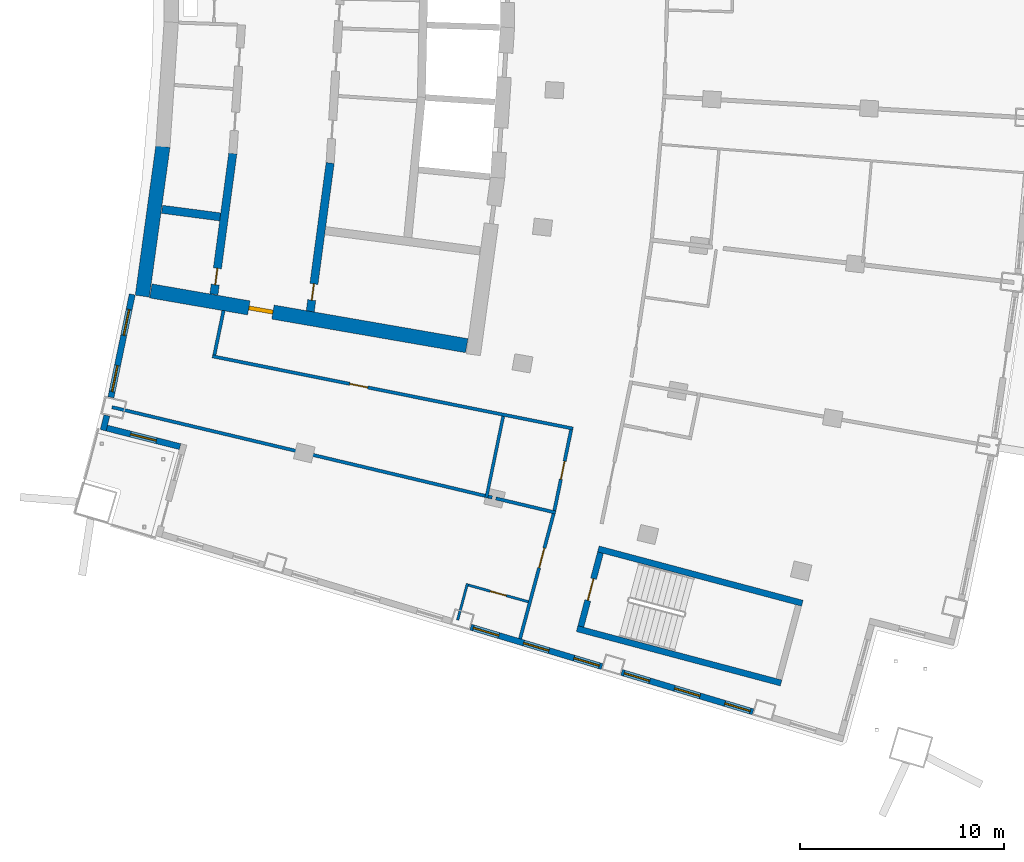
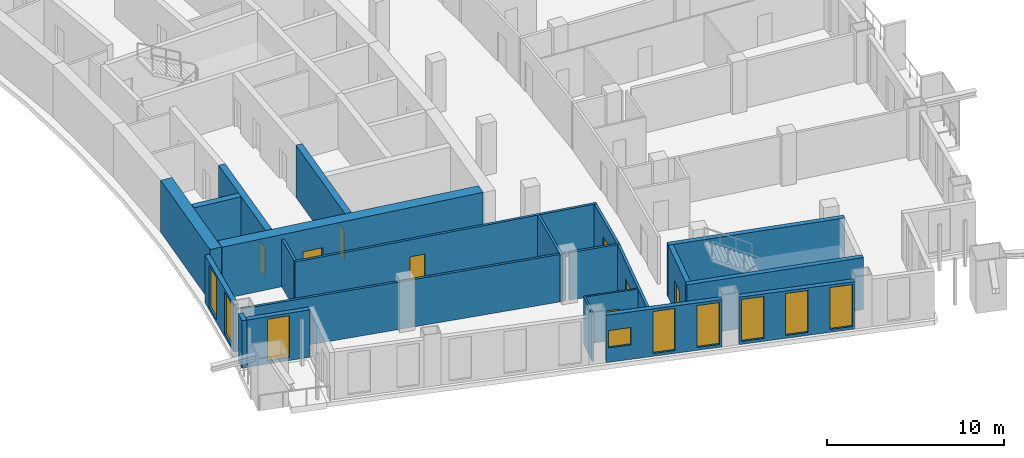
# One storey, part 11 of 20: 23 walls, 9 windows, 8 doors, 17 openings.
"""IFC4 building model written with IfcOpenShell, lengths in metres."""

from ifc_helpers import new_model, si_unit, direction, frame, frame_2d, origin, place, context, subcontext, project, spatial, rectangle, extrude, material, layer, layer_set, type_object, element, fill, save


model = new_model("IFC4")

# Units and contexts
model_context = context("Model", 3, precision=1e-05, world=origin(), true_north=direction((0.0, 1.0)))
body_context = subcontext(model_context, "Body", "Model", "MODEL_VIEW")
ifc_project = project(units=[si_unit("LENGTHUNIT", "METRE"), si_unit("AREAUNIT", "SQUARE_METRE"), si_unit("VOLUMEUNIT", "CUBIC_METRE"), si_unit("PLANEANGLEUNIT", "RADIAN"), si_unit("MASSUNIT", "GRAM", prefix="KILO")], contexts=[model_context])

# Site, building, storey
site_placement = place(None, origin())
site = spatial("IfcSite", under=ifc_project, at=site_placement, CompositionType="ELEMENT")
building_placement = place(site_placement, origin())
building = spatial("IfcBuilding", under=site, at=building_placement, Name="Alderwake Tower", CompositionType="ELEMENT")
storey_placement = place(building_placement, frame((0.0, 0.0, 178.39990234375)))
storey = spatial("IfcBuildingStorey", under=building, at=storey_placement, Name="L44", CompositionType="ELEMENT", Elevation=178.39990234375)

# Wall
ifc_material_1 = material(Name="Concrete C70/85", Category="concrete")
ifc_layer_1 = layer(ifc_material_1, 0.699951171875)
ifc_layer_set_1 = layer_set([ifc_layer_1], Name="Core wall outer 700 C70-85")
wall_type_1 = type_object("IfcWallType", Name="Core wall outer 700 C70-85", PredefinedType="SHEAR", material=ifc_layer_set_1)
wall_1_placement = place(storey_placement, frame((15.370849609375, 44.1376953125, 0.0), z_axis=(0.0, 0.0, 1.0), x_axis=(0.136315619812, 0.99066545907, 0.0)))
element("IfcWall", 1, at=wall_1_placement, inside=storey, type_object=wall_type_1, Name="Core wall CW.042", PredefinedType="SHEAR", context=body_context, shape_type="SweptSolid", body=[
    extrude(rectangle(XDim=7.420166015625, YDim=0.699951171875, at=frame_2d((3.7099609375, 0.0))), origin(), (0.0, 0.0, 1.0), 3.60009765625),
])

# Wall, opening, door
wall_2_placement = place(storey_placement, frame((31.295654296875, 41.705810546875, 0.0), z_axis=(0.0, 0.0, 1.0), x_axis=(-0.985302589944, 0.170818050129, 0.0)))
wall_2 = element("IfcWall", 2, at=wall_2_placement, inside=storey, type_object=wall_type_1, Name="Core wall CW.072", PredefinedType="SHEAR", context=body_context, shape_type="SweptSolid", body=[
    extrude(rectangle(XDim=15.7373046875, YDim=0.699951171875, at=frame_2d((7.86865234375, 0.0))), origin(), (0.0, 0.0, 1.0), 3.60009765625),
])
opening_1_placement = place(wall_2_placement, frame((9.65576171875, 0.0, 0.0)))
opening_1 = element("IfcOpeningElement", 3, at=opening_1_placement, cuts=wall_2, Name="Opening C003", PredefinedType="OPENING", context=body_context, shape_type="SweptSolid", body=[
    extrude(rectangle(XDim=1.199951171875, YDim=2.10009765625, at=frame_2d((0.60009765625, 1.050048828125))), frame((0.0, 0.35986328125, 0.0), z_axis=(0.0, -1.0, 0.0), x_axis=(1.0, 0.0, 0.0)), (0.0, 0.0, 1.0), 0.719970703125),
])
ifc_material_2 = material(Name="Steel-framed fire door leaf", Category="steel")
door_type_1 = type_object("IfcDoorType", Name="Core lobby exit door 1200 fire-rated", OperationType="SINGLE_SWING_LEFT", PredefinedType="DOOR", material=ifc_material_2)
door_1_placement = place(opening_1_placement, origin())
door_1 = element("IfcDoor", 4, at=door_1_placement, inside=storey, type_object=door_type_1, Name="Lobby door", OperationType="SINGLE_SWING_LEFT", OverallHeight=2.10009765625, OverallWidth=1.199951171875, PredefinedType="DOOR", context=body_context, shape_type="SweptSolid", body=[
    extrude(rectangle(XDim=1.199951171875, YDim=2.10009765625, at=frame_2d((0.60009765625, 1.050048828125))), frame((0.0, 0.10009765625, 0.0), z_axis=(0.0, -1.0, 0.0), x_axis=(1.0, 0.0, 0.0)), (0.0, 0.0, 1.0), 0.199951171875),
])
fill(opening_1, door_1)

ifc_material_3 = material(Name="Concrete C70/85", Category="concrete")
ifc_layer_2 = layer(ifc_material_3, 0.39990234375)
ifc_layer_set_2 = layer_set([ifc_layer_2], Name="Core wall spine 400 C70-85")
wall_type_2 = type_object("IfcWallType", Name="Core wall spine 400 C70-85", PredefinedType="SHEAR", material=ifc_layer_set_2)
wall_3_placement = place(storey_placement, frame((19.814697265625, 51.143798828125, 0.0), z_axis=(0.0, 0.0, 1.0), x_axis=(-0.132864871698, -0.991134161387, 0.0)))
wall_3 = element("IfcWall", 5, at=wall_3_placement, inside=storey, type_object=wall_type_2, Name="Core wall CW.033", PredefinedType="SHEAR", context=body_context, shape_type="SweptSolid", body=[
    extrude(rectangle(XDim=6.978759765625, YDim=0.39990234375, at=frame_2d((3.4892578125, 0.0))), origin(), (0.0, 0.0, 1.0), 3.60009765625),
])
opening_2_placement = place(wall_3_placement, frame((5.69677734375, 0.0, 0.0)))
opening_2 = element("IfcOpeningElement", 6, at=opening_2_placement, cuts=wall_3, Name="Opening C007", PredefinedType="OPENING", context=body_context, shape_type="SweptSolid", body=[
    extrude(rectangle(XDim=0.800048828125, YDim=2.0, at=frame_2d((0.39990234375, 1.0))), frame((0.0, 0.2099609375, 0.0), z_axis=(0.0, -1.0, 0.0), x_axis=(1.0, 0.0, 0.0)), (0.0, 0.0, 1.0), 0.419921875),
])
ifc_material_4 = material(Name="Painted steel leaf, rated", Category="steel")
door_type_2 = type_object("IfcDoorType", Name="Riser access door 800", OperationType="SINGLE_SWING_LEFT", PredefinedType="DOOR", material=ifc_material_4)
door_2_placement = place(opening_2_placement, origin())
door_2 = element("IfcDoor", 7, at=door_2_placement, inside=storey, type_object=door_type_2, Name="Riser access door", OperationType="SINGLE_SWING_LEFT", OverallHeight=2.0, OverallWidth=0.800048828125, PredefinedType="DOOR", context=body_context, shape_type="SweptSolid", body=[
    extrude(rectangle(XDim=0.800048828125, YDim=2.0, at=frame_2d((0.39990234375, 1.0))), frame((0.0, 0.02490234375, 0.0), z_axis=(0.0, -1.0, 0.0), x_axis=(1.0, 0.0, 0.0)), (0.0, 0.0, 1.0), 0.050048828125),
])
fill(opening_2, door_2)

wall_4_placement = place(storey_placement, frame((23.6142578125, 43.390869140625, 0.0), z_axis=(0.0, 0.0, 1.0), x_axis=(0.133023466616, 0.991112888287, 0.0)))
wall_4 = element("IfcWall", 8, at=wall_4_placement, inside=storey, type_object=wall_type_2, Name="Core wall CW.047", PredefinedType="SHEAR", context=body_context, shape_type="SweptSolid", body=[
    extrude(rectangle(XDim=7.3466796875, YDim=0.39990234375, at=frame_2d((3.67333984375, 0.0))), origin(), (0.0, 0.0, 1.0), 3.60009765625),
])
opening_3_placement = place(wall_4_placement, frame((0.557861328125, 0.0, 0.0)))
opening_3 = element("IfcOpeningElement", 9, at=opening_3_placement, cuts=wall_4, Name="Opening C014", PredefinedType="OPENING", context=body_context, shape_type="SweptSolid", body=[
    extrude(rectangle(XDim=0.800048828125, YDim=2.0, at=frame_2d((0.39990234375, 1.0))), frame((0.0, 0.2099609375, 0.0), z_axis=(0.0, -1.0, 0.0), x_axis=(1.0, 0.0, 0.0)), (0.0, 0.0, 1.0), 0.419921875),
])
door_3_placement = place(opening_3_placement, origin())
door_3 = element("IfcDoor", 10, at=door_3_placement, inside=storey, type_object=door_type_2, Name="Riser access door", OperationType="SINGLE_SWING_RIGHT", OverallHeight=2.0, OverallWidth=0.800048828125, PredefinedType="DOOR", context=body_context, shape_type="SweptSolid", body=[
    extrude(rectangle(XDim=0.800048828125, YDim=2.0, at=frame_2d((0.39990234375, 1.0))), frame((0.0, 0.02490234375, 0.0), z_axis=(0.0, -1.0, 0.0), x_axis=(1.0, 0.0, 0.0)), (0.0, 0.0, 1.0), 0.050048828125),
])
fill(opening_3, door_3)

# Walls
wall_5_placement = place(storey_placement, frame((16.3408203125, 48.3994140625, 0.0), z_axis=(0.0, 0.0, 1.0), x_axis=(0.991544987266, -0.129763393253, 0.0)))
element("IfcWall", 11, at=wall_5_placement, inside=storey, type_object=wall_type_2, Name="Core wall CW.067", PredefinedType="SHEAR", context=body_context, shape_type="SweptSolid", body=[
    extrude(rectangle(XDim=2.878662109375, YDim=0.39990234375, at=frame_2d((1.439453125, 0.0))), origin(), (0.0, 0.0, 1.0), 3.60009765625),
])
ifc_material_5 = material(Name="Concrete C70/85", Category="concrete")
ifc_layer_3 = layer(ifc_material_5, 0.300048828125)
ifc_layer_set_3 = layer_set([ifc_layer_3], Name="Core wall stair enclosure 300 C70-85")
wall_type_3 = type_object("IfcWallType", Name="Core wall stair enclosure 300 C70-85", PredefinedType="SHEAR", material=ifc_layer_set_3)
for number, where, z_axis, x_axis, name in (
    (12, (37.75390625, 31.731201171875, 0.0), (0.0, 0.0, 1.0), (0.966309214305, -0.257383958996, 0.0), "Core wall CW.086"),
    (13, (36.71142578125, 27.817626953125, 0.0), (0.0, 0.0, 1.0), (0.966309214305, -0.257383958996, 0.0), "Core wall CW.088"),
):
    element("IfcWall", number, at=place(storey_placement, frame(where, z_axis=z_axis, x_axis=x_axis)), inside=storey, type_object=wall_type_3, Name=name, PredefinedType="SHEAR", context=body_context, shape_type="SweptSolid", body=[
        extrude(rectangle(XDim=10.360107421875, YDim=0.300048828125, at=frame_2d((5.18017578125, 0.0))), origin(), (0.0, 0.0, 1.0), 3.60009765625),
    ])

# Wall, opening, door
wall_6_placement = place(storey_placement, frame((36.89501953125, 27.923828125, 0.0), z_axis=(0.0, 0.0, 1.0), x_axis=(0.257350630826, 0.966318090907, 0.0)))
wall_6 = element("IfcWall", 14, at=wall_6_placement, inside=storey, type_object=wall_type_3, Name="Core wall CW.087", PredefinedType="SHEAR", context=body_context, shape_type="SweptSolid", body=[
    extrude(rectangle(XDim=3.75, YDim=0.300048828125, at=frame_2d((1.875, 0.0))), origin(), (0.0, 0.0, 1.0), 3.60009765625),
])
opening_4_placement = place(wall_6_placement, frame((1.324951171875, 0.0, 0.0)))
opening_4 = element("IfcOpeningElement", 15, at=opening_4_placement, cuts=wall_6, Name="Opening C065", PredefinedType="OPENING", context=body_context, shape_type="SweptSolid", body=[
    extrude(rectangle(XDim=1.10009765625, YDim=2.10009765625, at=frame_2d((0.550048828125, 1.050048828125))), frame((0.0, 0.159912109375, 0.0), z_axis=(0.0, -1.0, 0.0), x_axis=(1.0, 0.0, 0.0)), (0.0, 0.0, 1.0), 0.320068359375),
])
ifc_material_6 = material(Name="Steel-framed fire door leaf", Category="steel")
door_type_3 = type_object("IfcDoorType", Name="Core stair door 1100 fire-rated", OperationType="SINGLE_SWING_LEFT", PredefinedType="DOOR", material=ifc_material_6)
door_4_placement = place(opening_4_placement, origin())
door_4 = element("IfcDoor", 16, at=door_4_placement, inside=storey, type_object=door_type_3, Name="Stair door", OperationType="SINGLE_SWING_LEFT", OverallHeight=2.10009765625, OverallWidth=1.10009765625, PredefinedType="DOOR", context=body_context, shape_type="SweptSolid", body=[
    extrude(rectangle(XDim=1.10009765625, YDim=2.10009765625, at=frame_2d((0.550048828125, 1.050048828125))), frame((0.0, 0.02490234375, 0.0), z_axis=(0.0, -1.0, 0.0), x_axis=(1.0, 0.0, 0.0)), (0.0, 0.0, 1.0), 0.050048828125),
])
fill(opening_4, door_4)

# Wall
ifc_material_7 = material(Name="Gypsum board on metal studs, rated")
ifc_layer_4 = layer(ifc_material_7, 0.159912109375)
ifc_layer_set_4 = layer_set([ifc_layer_4], Name="Corridor wall 160")
wall_type_4 = type_object("IfcWallType", Name="Corridor wall 160", PredefinedType="PARTITIONING", material=ifc_layer_set_4)
wall_7_placement = place(storey_placement, frame((13.884033203125, 38.68798828125, 0.0), z_axis=(0.0, 0.0, 1.0), x_axis=(0.972897690171, -0.231235993004, 0.0)))
element("IfcWall", 17, at=wall_7_placement, inside=storey, type_object=wall_type_4, Name="WL/L44/W13", PredefinedType="PARTITIONING", context=body_context, shape_type="SweptSolid", body=[
    extrude(rectangle(XDim=18.8271484375, YDim=0.159912109375, at=frame_2d((9.41357421875, 0.0))), origin(), (0.0, 0.0, 1.0), 3.280029296875),
])

# Wall, opening, door
wall_8_placement = place(storey_placement, frame((36.513427734375, 37.63427734375, 0.0), z_axis=(0.0, 0.0, 1.0), x_axis=(-0.980470254867, 0.1966674333, 0.0)))
wall_8 = element("IfcWall", 18, at=wall_8_placement, inside=storey, type_object=wall_type_4, Name="WL/L44/W14", PredefinedType="PARTITIONING", context=body_context, shape_type="SweptSolid", body=[
    extrude(rectangle(XDim=18.053466796875, YDim=0.159912109375, at=frame_2d((9.02685546875, 0.0))), origin(), (0.0, 0.0, 1.0), 3.280029296875),
])
opening_5_placement = place(wall_8_placement, frame((10.277099609375, 0.0, 0.0)))
opening_5 = element("IfcOpeningElement", 19, at=opening_5_placement, cuts=wall_8, Name="Opening R12-SBS1", PredefinedType="OPENING", context=body_context, shape_type="SweptSolid", body=[
    extrude(rectangle(XDim=0.89990234375, YDim=2.10009765625, at=frame_2d((0.449951171875, 1.050048828125))), frame((0.0, 0.08984375, 0.0), z_axis=(0.0, -1.0, 0.0), x_axis=(1.0, 0.0, 0.0)), (0.0, 0.0, 1.0), 0.179931640625),
])
ifc_material_8 = material(Name="Painted timber leaf", Category="wood")
door_type_4 = type_object("IfcDoorType", Name="Room door 900", OperationType="SINGLE_SWING_LEFT", PredefinedType="DOOR", material=ifc_material_8)
door_5_placement = place(opening_5_placement, origin())
door_5 = element("IfcDoor", 20, at=door_5_placement, inside=storey, type_object=door_type_4, Name="DR/L44/SBS1", OperationType="SINGLE_SWING_LEFT", OverallHeight=2.10009765625, OverallWidth=0.89990234375, PredefinedType="DOOR", context=body_context, shape_type="SweptSolid", body=[
    extrude(rectangle(XDim=0.89990234375, YDim=2.10009765625, at=frame_2d((0.449951171875, 1.050048828125))), frame((0.0, 0.02490234375, 0.0), z_axis=(0.0, -1.0, 0.0), x_axis=(1.0, 0.0, 0.0)), (0.0, 0.0, 1.0), 0.050048828125),
])
fill(opening_5, door_5)

# Walls
wall_9_placement = place(storey_placement, frame((19.35888671875, 43.430908203125, 0.0), z_axis=(0.0, 0.0, 1.0), x_axis=(-0.202554916658, -0.979270905183, 0.0)))
element("IfcWall", 21, at=wall_9_placement, inside=storey, type_object=wall_type_4, Name="WL/L44/W15", PredefinedType="PARTITIONING", context=body_context, shape_type="SweptSolid", body=[
    extrude(rectangle(XDim=2.229736328125, YDim=0.159912109375, at=frame_2d((1.11474609375, 0.0))), origin(), (0.0, 0.0, 1.0), 3.280029296875),
])
wall_10_placement = place(storey_placement, frame((32.343994140625, 34.300048828125, 0.0), z_axis=(0.0, 0.0, 1.0), x_axis=(0.974391195695, -0.224859506699, 0.0)))
element("IfcWall", 22, at=wall_10_placement, inside=storey, type_object=wall_type_4, Name="WL/L44/W17", PredefinedType="PARTITIONING", context=body_context, shape_type="SweptSolid", body=[
    extrude(rectangle(XDim=0.205322265625, YDim=0.159912109375, at=frame_2d((0.1025390625, 0.0))), origin(), (0.0, 0.0, 1.0), 3.280029296875),
])
wall_11_placement = place(storey_placement, frame((32.725341796875, 34.210205078125, 0.0), z_axis=(0.0, 0.0, 1.0), x_axis=(0.972838360224, -0.231485474442, 0.0)))
element("IfcWall", 23, at=wall_11_placement, inside=storey, type_object=wall_type_4, Name="WL/L44/W18", PredefinedType="PARTITIONING", context=body_context, shape_type="SweptSolid", body=[
    extrude(rectangle(XDim=3.01416015625, YDim=0.159912109375, at=frame_2d((1.507080078125, 0.0))), origin(), (0.0, 0.0, 1.0), 3.280029296875),
])

# Wall, opening, door
wall_12_placement = place(storey_placement, frame((33.912109375, 27.321044921875, 0.0), z_axis=(0.0, 0.0, 1.0), x_axis=(0.259370874835, 0.965777794986, 0.0)))
wall_12 = element("IfcWall", 24, at=wall_12_placement, inside=storey, type_object=wall_type_4, Name="WL/L44/W20", PredefinedType="PARTITIONING", context=body_context, shape_type="SweptSolid", body=[
    extrude(rectangle(XDim=6.349853515625, YDim=0.159912109375, at=frame_2d((3.1748046875, 0.0))), origin(), (0.0, 0.0, 1.0), 3.280029296875),
])
opening_6_placement = place(wall_12_placement, frame((3.603515625, 0.0, 0.0)))
opening_6 = element("IfcOpeningElement", 25, at=opening_6_placement, cuts=wall_12, Name="Opening R12-U10.1", PredefinedType="OPENING", context=body_context, shape_type="SweptSolid", body=[
    extrude(rectangle(XDim=1.0, YDim=2.10009765625, at=frame_2d((0.5, 1.050048828125))), frame((0.0, 0.08984375, 0.0), z_axis=(0.0, -1.0, 0.0), x_axis=(1.0, 0.0, 0.0)), (0.0, 0.0, 1.0), 0.179931640625),
])
ifc_material_9 = material(Name="Solid timber leaf in steel frame", Category="steel")
door_type_5 = type_object("IfcDoorType", Name="Flat entrance door 1000 fire-rated", OperationType="SINGLE_SWING_LEFT", PredefinedType="DOOR", material=ifc_material_9)
door_6_placement = place(opening_6_placement, origin())
door_6 = element("IfcDoor", 26, at=door_6_placement, inside=storey, type_object=door_type_5, Name="DR/L44/U10.1", OperationType="SINGLE_SWING_LEFT", OverallHeight=2.10009765625, OverallWidth=1.0, PredefinedType="DOOR", context=body_context, shape_type="SweptSolid", body=[
    extrude(rectangle(XDim=1.0, YDim=2.10009765625, at=frame_2d((0.5, 1.050048828125))), frame((0.0, 0.02490234375, 0.0), z_axis=(0.0, -1.0, 0.0), x_axis=(1.0, 0.0, 0.0)), (0.0, 0.0, 1.0), 0.050048828125),
])
fill(opening_6, door_6)

wall_13_placement = place(storey_placement, frame((35.59619140625, 33.609375, 0.0), z_axis=(0.0, 0.0, 1.0), x_axis=(0.203245920818, 0.979127721838, 0.0)))
wall_13 = element("IfcWall", 27, at=wall_13_placement, inside=storey, type_object=wall_type_4, Name="WL/L44/W23", PredefinedType="PARTITIONING", context=body_context, shape_type="SweptSolid", body=[
    extrude(rectangle(XDim=4.046875, YDim=0.159912109375, at=frame_2d((2.0234375, 0.0))), origin(), (0.0, 0.0, 1.0), 3.280029296875),
])
opening_7_placement = place(wall_13_placement, frame((1.573486328125, 0.0, 0.0)))
opening_7 = element("IfcOpeningElement", 28, at=opening_7_placement, cuts=wall_13, Name="Opening R12-SBS2", PredefinedType="OPENING", context=body_context, shape_type="SweptSolid", body=[
    extrude(rectangle(XDim=0.89990234375, YDim=2.10009765625, at=frame_2d((0.449951171875, 1.050048828125))), frame((0.0, 0.08984375, 0.0), z_axis=(0.0, -1.0, 0.0), x_axis=(1.0, 0.0, 0.0)), (0.0, 0.0, 1.0), 0.179931640625),
])
door_7_placement = place(opening_7_placement, origin())
door_7 = element("IfcDoor", 29, at=door_7_placement, inside=storey, type_object=door_type_4, Name="DR/L44/SBS2", OperationType="SINGLE_SWING_LEFT", OverallHeight=2.10009765625, OverallWidth=0.89990234375, PredefinedType="DOOR", context=body_context, shape_type="SweptSolid", body=[
    extrude(rectangle(XDim=0.89990234375, YDim=2.10009765625, at=frame_2d((0.449951171875, 1.050048828125))), frame((0.0, 0.02490234375, 0.0), z_axis=(0.0, -1.0, 0.0), x_axis=(1.0, 0.0, 0.0)), (0.0, 0.0, 1.0), 0.050048828125),
])
fill(opening_7, door_7)

# Wall
ifc_material_10 = material(Name="Precast concrete C50/60 spandrel panel", Category="concrete")
ifc_layer_5 = layer(ifc_material_10, 0.300048828125)
ifc_layer_set_5 = layer_set([ifc_layer_5], Name="External wall EW1 Precast concrete C50/60 spandrel")
wall_type_5 = type_object("IfcWallType", Name="External wall EW1 Precast concrete C50/60 spandrel", PredefinedType="SOLIDWALL", material=ifc_layer_set_5)
wall_14_placement = place(storey_placement, frame((13.63134765625, 38.28271484375, 0.0), z_axis=(0.0, 0.0, 1.0), x_axis=(-0.238336947214, -0.971182526404, 0.0)))
element("IfcWall", 30, at=wall_14_placement, inside=storey, type_object=wall_type_5, Name="External wall 1", PredefinedType="SOLIDWALL", context=body_context, shape_type="SweptSolid", body=[
    extrude(rectangle(XDim=0.7529296875, YDim=0.300048828125, at=frame_2d((0.37646484375, 0.0))), origin(), (0.0, 0.0, 1.0), 3.280029296875),
])

# Wall, openings, windows
wall_15_placement = place(storey_placement, frame((14.878173828125, 44.223388671875, 0.0), z_axis=(0.0, 0.0, 1.0), x_axis=(-0.202754243564, -0.979229654737, 0.0)))
wall_15 = element("IfcWall", 31, at=wall_15_placement, inside=storey, type_object=wall_type_5, Name="External wall 32", PredefinedType="SOLIDWALL", context=body_context, shape_type="SweptSolid", body=[
    extrude(rectangle(XDim=5.15966796875, YDim=0.300048828125, at=frame_2d((2.579833984375, 0.0))), origin(), (0.0, 0.0, 1.0), 3.280029296875),
])
opening_8_placement = place(wall_15_placement, frame((0.75634765625, 0.0, 0.199951171875)))
opening_8 = element("IfcOpeningElement", 32, at=opening_8_placement, cuts=wall_15, Name="Opening W1", PredefinedType="OPENING", context=body_context, shape_type="SweptSolid", body=[
    extrude(rectangle(XDim=1.300048828125, YDim=2.89990234375, at=frame_2d((0.64990234375, 1.449951171875))), frame((0.0, 0.159912109375, 0.0), z_axis=(0.0, -1.0, 0.0), x_axis=(1.0, 0.0, 0.0)), (0.0, 0.0, 1.0), 0.320068359375),
])
opening_9_placement = place(wall_15_placement, frame((3.569091796875, 0.0, 0.199951171875)))
opening_9 = element("IfcOpeningElement", 33, at=opening_9_placement, cuts=wall_15, Name="Opening W1", PredefinedType="OPENING", context=body_context, shape_type="SweptSolid", body=[
    extrude(rectangle(XDim=1.300048828125, YDim=2.89990234375, at=frame_2d((0.64990234375, 1.449951171875))), frame((0.0, 0.159912109375, 0.0), z_axis=(0.0, -1.0, 0.0), x_axis=(1.0, 0.0, 0.0)), (0.0, 0.0, 1.0), 0.320068359375),
])
ifc_material_11 = material(Name="Bronze tinted glass in aluminium frame", Category="aluminium")
window_type_1 = type_object("IfcWindowType", Name="Window W1 tall fixed and vent", PartitioningType="DOUBLE_PANEL_VERTICAL", PredefinedType="WINDOW", material=ifc_material_11)
window_1_placement = place(opening_8_placement, origin())
window_1 = element("IfcWindow", 34, at=window_1_placement, inside=storey, type_object=window_type_1, Name="Window W1 tall fixed and vent", OverallHeight=2.89990234375, OverallWidth=1.300048828125, PartitioningType="DOUBLE_PANEL_VERTICAL", PredefinedType="WINDOW", context=body_context, shape_type="SweptSolid", body=[
    extrude(rectangle(XDim=1.300048828125, YDim=2.89990234375, at=frame_2d((0.64990234375, 1.449951171875))), frame((0.0, 0.030029296875, 0.0), z_axis=(0.0, -1.0, 0.0), x_axis=(1.0, 0.0, 0.0)), (0.0, 0.0, 1.0), 0.06005859375),
])
fill(opening_8, window_1)
window_2_placement = place(opening_9_placement, origin())
window_2 = element("IfcWindow", 35, at=window_2_placement, inside=storey, type_object=window_type_1, Name="Window W1 tall fixed and vent", OverallHeight=2.89990234375, OverallWidth=1.300048828125, PartitioningType="DOUBLE_PANEL_VERTICAL", PredefinedType="WINDOW", context=body_context, shape_type="SweptSolid", body=[
    extrude(rectangle(XDim=1.300048828125, YDim=2.89990234375, at=frame_2d((0.64990234375, 1.449951171875))), frame((0.0, 0.030029296875, 0.0), z_axis=(0.0, -1.0, 0.0), x_axis=(1.0, 0.0, 0.0)), (0.0, 0.0, 1.0), 0.06005859375),
])
fill(opening_9, window_2)

# Wall, opening, window
ifc_material_12 = material(Name="Bronze metal cladding on lightweight framing")
ifc_layer_6 = layer(ifc_material_12, 0.300048828125)
ifc_layer_set_6 = layer_set([ifc_layer_6], Name="External wall EW2 bronze metal cladding")
wall_type_6 = type_object("IfcWallType", Name="External wall EW2 bronze metal cladding", PredefinedType="SOLIDWALL", material=ifc_layer_set_6)
wall_16_placement = place(storey_placement, frame((13.633056640625, 37.660400390625, 0.0), z_axis=(0.0, 0.0, 1.0), x_axis=(0.969417366605, -0.245417948254, 0.0)))
wall_16 = element("IfcWall", 36, at=wall_16_placement, inside=storey, type_object=wall_type_6, Name="External wall 2", PredefinedType="SOLIDWALL", context=body_context, shape_type="SweptSolid", body=[
    extrude(rectangle(XDim=3.70556640625, YDim=0.300048828125, at=frame_2d((1.852783203125, 0.0))), origin(), (0.0, 0.0, 1.0), 3.280029296875),
])
opening_10_placement = place(wall_16_placement, frame((1.202880859375, 0.0, 0.199951171875)))
opening_10 = element("IfcOpeningElement", 37, at=opening_10_placement, cuts=wall_16, Name="Opening W1", PredefinedType="OPENING", context=body_context, shape_type="SweptSolid", body=[
    extrude(rectangle(XDim=1.300048828125, YDim=2.89990234375, at=frame_2d((0.64990234375, 1.449951171875))), frame((0.0, 0.159912109375, 0.0), z_axis=(0.0, -1.0, 0.0), x_axis=(1.0, 0.0, 0.0)), (0.0, 0.0, 1.0), 0.320068359375),
])
window_3_placement = place(opening_10_placement, origin())
window_3 = element("IfcWindow", 38, at=window_3_placement, inside=storey, type_object=window_type_1, Name="Window W1 tall fixed and vent", OverallHeight=2.89990234375, OverallWidth=1.300048828125, PartitioningType="DOUBLE_PANEL_VERTICAL", PredefinedType="WINDOW", context=body_context, shape_type="SweptSolid", body=[
    extrude(rectangle(XDim=1.300048828125, YDim=2.89990234375, at=frame_2d((0.64990234375, 1.449951171875))), frame((0.0, 0.030029296875, 0.0), z_axis=(0.0, -1.0, 0.0), x_axis=(1.0, 0.0, 0.0)), (0.0, 0.0, 1.0), 0.06005859375),
])
fill(opening_10, window_3)

# Wall, openings, windows
wall_17_placement = place(storey_placement, frame((31.4892578125, 27.89306640625, 0.0), z_axis=(0.0, 0.0, 1.0), x_axis=(0.957766354081, -0.287547580396, 0.0)))
wall_17 = element("IfcWall", 39, at=wall_17_placement, inside=storey, type_object=wall_type_6, Name="External wall 6", PredefinedType="SOLIDWALL", context=body_context, shape_type="SweptSolid", body=[
    extrude(rectangle(XDim=6.7294921875, YDim=0.300048828125, at=frame_2d((3.36474609375, 0.0))), origin(), (0.0, 0.0, 1.0), 3.280029296875),
])
opening_11_placement = place(wall_17_placement, frame((0.13671875, 0.0, 1.0)))
opening_11 = element("IfcOpeningElement", 40, at=opening_11_placement, cuts=wall_17, Name="Opening W2", PredefinedType="OPENING", context=body_context, shape_type="SweptSolid", body=[
    extrude(rectangle(XDim=1.300048828125, YDim=1.199951171875, at=frame_2d((0.64990234375, 0.60009765625))), frame((0.0, 0.159912109375, 0.0), z_axis=(0.0, -1.0, 0.0), x_axis=(1.0, 0.0, 0.0)), (0.0, 0.0, 1.0), 0.320068359375),
])
opening_12_placement = place(wall_17_placement, frame((2.714599609375, 0.0, 0.199951171875)))
opening_12 = element("IfcOpeningElement", 41, at=opening_12_placement, cuts=wall_17, Name="Opening W1", PredefinedType="OPENING", context=body_context, shape_type="SweptSolid", body=[
    extrude(rectangle(XDim=1.300048828125, YDim=2.89990234375, at=frame_2d((0.64990234375, 1.449951171875))), frame((0.0, 0.159912109375, 0.0), z_axis=(0.0, -1.0, 0.0), x_axis=(1.0, 0.0, 0.0)), (0.0, 0.0, 1.0), 0.320068359375),
])
opening_13_placement = place(wall_17_placement, frame((5.29248046875, 0.0, 0.199951171875)))
opening_13 = element("IfcOpeningElement", 42, at=opening_13_placement, cuts=wall_17, Name="Opening W1", PredefinedType="OPENING", context=body_context, shape_type="SweptSolid", body=[
    extrude(rectangle(XDim=1.300048828125, YDim=2.89990234375, at=frame_2d((0.64990234375, 1.449951171875))), frame((0.0, 0.159912109375, 0.0), z_axis=(0.0, -1.0, 0.0), x_axis=(1.0, 0.0, 0.0)), (0.0, 0.0, 1.0), 0.320068359375),
])
window_4_placement = place(opening_12_placement, origin())
window_4 = element("IfcWindow", 43, at=window_4_placement, inside=storey, type_object=window_type_1, Name="Window W1 tall fixed and vent", OverallHeight=2.89990234375, OverallWidth=1.300048828125, PartitioningType="DOUBLE_PANEL_VERTICAL", PredefinedType="WINDOW", context=body_context, shape_type="SweptSolid", body=[
    extrude(rectangle(XDim=1.300048828125, YDim=2.89990234375, at=frame_2d((0.64990234375, 1.449951171875))), frame((0.0, 0.030029296875, 0.0), z_axis=(0.0, -1.0, 0.0), x_axis=(1.0, 0.0, 0.0)), (0.0, 0.0, 1.0), 0.06005859375),
])
fill(opening_12, window_4)
window_5_placement = place(opening_13_placement, origin())
window_5 = element("IfcWindow", 44, at=window_5_placement, inside=storey, type_object=window_type_1, Name="Window W1 tall fixed and vent", OverallHeight=2.89990234375, OverallWidth=1.300048828125, PartitioningType="DOUBLE_PANEL_VERTICAL", PredefinedType="WINDOW", context=body_context, shape_type="SweptSolid", body=[
    extrude(rectangle(XDim=1.300048828125, YDim=2.89990234375, at=frame_2d((0.64990234375, 1.449951171875))), frame((0.0, 0.030029296875, 0.0), z_axis=(0.0, -1.0, 0.0), x_axis=(1.0, 0.0, 0.0)), (0.0, 0.0, 1.0), 0.06005859375),
])
fill(opening_13, window_5)
ifc_material_13 = material(Name="Bronze tinted glass in aluminium frame", Category="aluminium")
window_type_2 = type_object("IfcWindowType", Name="Window W2 kitchen and bath", PartitioningType="SINGLE_PANEL", PredefinedType="WINDOW", material=ifc_material_13)
window_6_placement = place(opening_11_placement, origin())
window_6 = element("IfcWindow", 45, at=window_6_placement, inside=storey, type_object=window_type_2, Name="Window W2 kitchen and bath", OverallHeight=1.199951171875, OverallWidth=1.300048828125, PartitioningType="SINGLE_PANEL", PredefinedType="WINDOW", context=body_context, shape_type="SweptSolid", body=[
    extrude(rectangle(XDim=1.300048828125, YDim=1.199951171875, at=frame_2d((0.64990234375, 0.60009765625))), frame((0.0, 0.030029296875, 0.0), z_axis=(0.0, -1.0, 0.0), x_axis=(1.0, 0.0, 0.0)), (0.0, 0.0, 1.0), 0.06005859375),
])
fill(opening_11, window_6)

wall_18_placement = place(storey_placement, frame((38.89599609375, 25.66943359375, 0.0), z_axis=(0.0, 0.0, 1.0), x_axis=(0.957769353605, -0.287537589359, 0.0)))
wall_18 = element("IfcWall", 46, at=wall_18_placement, inside=storey, type_object=wall_type_6, Name="External wall 7", PredefinedType="SOLIDWALL", context=body_context, shape_type="SweptSolid", body=[
    extrude(rectangle(XDim=6.729736328125, YDim=0.300048828125, at=frame_2d((3.36474609375, 0.0))), origin(), (0.0, 0.0, 1.0), 3.280029296875),
])
opening_14_placement = place(wall_18_placement, frame((0.136962890625, 0.0, 0.199951171875)))
opening_14 = element("IfcOpeningElement", 47, at=opening_14_placement, cuts=wall_18, Name="Opening W1", PredefinedType="OPENING", context=body_context, shape_type="SweptSolid", body=[
    extrude(rectangle(XDim=1.300048828125, YDim=2.89990234375, at=frame_2d((0.64990234375, 1.449951171875))), frame((0.0, 0.159912109375, 0.0), z_axis=(0.0, -1.0, 0.0), x_axis=(1.0, 0.0, 0.0)), (0.0, 0.0, 1.0), 0.320068359375),
])
opening_15_placement = place(wall_18_placement, frame((2.71484375, 0.0, 0.199951171875)))
opening_15 = element("IfcOpeningElement", 48, at=opening_15_placement, cuts=wall_18, Name="Opening W1", PredefinedType="OPENING", context=body_context, shape_type="SweptSolid", body=[
    extrude(rectangle(XDim=1.300048828125, YDim=2.89990234375, at=frame_2d((0.64990234375, 1.449951171875))), frame((0.0, 0.159912109375, 0.0), z_axis=(0.0, -1.0, 0.0), x_axis=(1.0, 0.0, 0.0)), (0.0, 0.0, 1.0), 0.320068359375),
])
opening_16_placement = place(wall_18_placement, frame((5.29248046875, 0.0, 0.199951171875)))
opening_16 = element("IfcOpeningElement", 49, at=opening_16_placement, cuts=wall_18, Name="Opening W1", PredefinedType="OPENING", context=body_context, shape_type="SweptSolid", body=[
    extrude(rectangle(XDim=1.300048828125, YDim=2.89990234375, at=frame_2d((0.64990234375, 1.449951171875))), frame((0.0, 0.159912109375, 0.0), z_axis=(0.0, -1.0, 0.0), x_axis=(1.0, 0.0, 0.0)), (0.0, 0.0, 1.0), 0.320068359375),
])
window_7_placement = place(opening_14_placement, origin())
window_7 = element("IfcWindow", 50, at=window_7_placement, inside=storey, type_object=window_type_1, Name="Window W1 tall fixed and vent", OverallHeight=2.89990234375, OverallWidth=1.300048828125, PartitioningType="DOUBLE_PANEL_VERTICAL", PredefinedType="WINDOW", context=body_context, shape_type="SweptSolid", body=[
    extrude(rectangle(XDim=1.300048828125, YDim=2.89990234375, at=frame_2d((0.64990234375, 1.449951171875))), frame((0.0, 0.030029296875, 0.0), z_axis=(0.0, -1.0, 0.0), x_axis=(1.0, 0.0, 0.0)), (0.0, 0.0, 1.0), 0.06005859375),
])
fill(opening_14, window_7)
window_8_placement = place(opening_15_placement, origin())
window_8 = element("IfcWindow", 51, at=window_8_placement, inside=storey, type_object=window_type_1, Name="Window W1 tall fixed and vent", OverallHeight=2.89990234375, OverallWidth=1.300048828125, PartitioningType="DOUBLE_PANEL_VERTICAL", PredefinedType="WINDOW", context=body_context, shape_type="SweptSolid", body=[
    extrude(rectangle(XDim=1.300048828125, YDim=2.89990234375, at=frame_2d((0.64990234375, 1.449951171875))), frame((0.0, 0.030029296875, 0.0), z_axis=(0.0, -1.0, 0.0), x_axis=(1.0, 0.0, 0.0)), (0.0, 0.0, 1.0), 0.06005859375),
])
fill(opening_15, window_8)
window_9_placement = place(opening_16_placement, origin())
window_9 = element("IfcWindow", 52, at=window_9_placement, inside=storey, type_object=window_type_1, Name="Window W1 tall fixed and vent", OverallHeight=2.89990234375, OverallWidth=1.300048828125, PartitioningType="DOUBLE_PANEL_VERTICAL", PredefinedType="WINDOW", context=body_context, shape_type="SweptSolid", body=[
    extrude(rectangle(XDim=1.300048828125, YDim=2.89990234375, at=frame_2d((0.64990234375, 1.449951171875))), frame((0.0, 0.030029296875, 0.0), z_axis=(0.0, -1.0, 0.0), x_axis=(1.0, 0.0, 0.0)), (0.0, 0.0, 1.0), 0.06005859375),
])
fill(opening_16, window_9)

# Walls
ifc_material_14 = material(Name="Gypsum shaft wall system, rated")
ifc_layer_7 = layer(ifc_material_14, 0.14990234375)
ifc_layer_set_7 = layer_set([ifc_layer_7], Name="Riser and shaft wall 150")
wall_type_7 = type_object("IfcWallType", Name="Riser and shaft wall 150", PredefinedType="PARTITIONING", material=ifc_layer_set_7)
wall_19_placement = place(storey_placement, frame((32.2578125, 34.23876953125, 0.0), z_axis=(0.0, 0.0, 1.0), x_axis=(0.202579923059, 0.979265732462, 0.0)))
element("IfcWall", 53, at=wall_19_placement, inside=storey, type_object=wall_type_7, Name="WL/L44/W09", PredefinedType="PARTITIONING", context=body_context, shape_type="SweptSolid", body=[
    extrude(rectangle(XDim=4.086669921875, YDim=0.14990234375, at=frame_2d((2.04345703125, 0.0))), origin(), (0.0, 0.0, 1.0), 3.280029296875),
])
ifc_material_15 = material(Name="Moisture resistant gypsum board on metal studs")
ifc_layer_8 = layer(ifc_material_15, 0.1201171875)
ifc_layer_set_8 = layer_set([ifc_layer_8], Name="Wet room partition 120")
wall_type_8 = type_object("IfcWallType", Name="Wet room partition 120", PredefinedType="PARTITIONING", material=ifc_layer_set_8)
wall_20_placement = place(storey_placement, frame((31.32958984375, 30.031005859375, 0.0), z_axis=(0.0, 0.0, 1.0), x_axis=(-0.259368447521, -0.965778446866, 0.0)))
element("IfcWall", 54, at=wall_20_placement, inside=storey, type_object=wall_type_8, Name="WL/L44/W37", PredefinedType="PARTITIONING", context=body_context, shape_type="SweptSolid", body=[
    extrude(rectangle(XDim=1.8525390625, YDim=0.1201171875, at=frame_2d((0.92626953125, 0.0))), origin(), (0.0, 0.0, 1.0), 3.280029296875),
])

# Wall, opening, door
wall_21_placement = place(storey_placement, frame((34.31787109375, 29.136474609375, 0.0), z_axis=(0.0, 0.0, 1.0), x_axis=(-0.963351881246, 0.268240848677, 0.0)))
wall_21 = element("IfcWall", 55, at=wall_21_placement, inside=storey, type_object=wall_type_8, Name="WL/L44/W39", PredefinedType="PARTITIONING", context=body_context, shape_type="SweptSolid", body=[
    extrude(rectangle(XDim=3.05810546875, YDim=0.1201171875, at=frame_2d((1.529052734375, 0.0))), origin(), (0.0, 0.0, 1.0), 3.280029296875),
])
opening_17_placement = place(wall_21_placement, frame((1.129150390625, 0.0, 0.0)))
opening_17 = element("IfcOpeningElement", 56, at=opening_17_placement, cuts=wall_21, Name="Opening R12-U10.2", PredefinedType="OPENING", context=body_context, shape_type="SweptSolid", body=[
    extrude(rectangle(XDim=0.800048828125, YDim=2.10009765625, at=frame_2d((0.39990234375, 1.050048828125))), frame((0.0, 0.070068359375, 0.0), z_axis=(0.0, -1.0, 0.0), x_axis=(1.0, 0.0, 0.0)), (0.0, 0.0, 1.0), 0.14013671875),
])
ifc_material_16 = material(Name="Painted timber leaf", Category="wood")
door_type_6 = type_object("IfcDoorType", Name="Bathroom door 800", OperationType="SINGLE_SWING_LEFT", PredefinedType="DOOR", material=ifc_material_16)
door_8_placement = place(opening_17_placement, origin())
door_8 = element("IfcDoor", 57, at=door_8_placement, inside=storey, type_object=door_type_6, Name="DR/L44/U10.2", OperationType="SINGLE_SWING_LEFT", OverallHeight=2.10009765625, OverallWidth=0.800048828125, PredefinedType="DOOR", context=body_context, shape_type="SweptSolid", body=[
    extrude(rectangle(XDim=0.800048828125, YDim=2.10009765625, at=frame_2d((0.39990234375, 1.050048828125))), frame((0.0, 0.02490234375, 0.0), z_axis=(0.0, -1.0, 0.0), x_axis=(1.0, 0.0, 0.0)), (0.0, 0.0, 1.0), 0.050048828125),
])
fill(opening_17, door_8)

save(model, "model.ifc")
